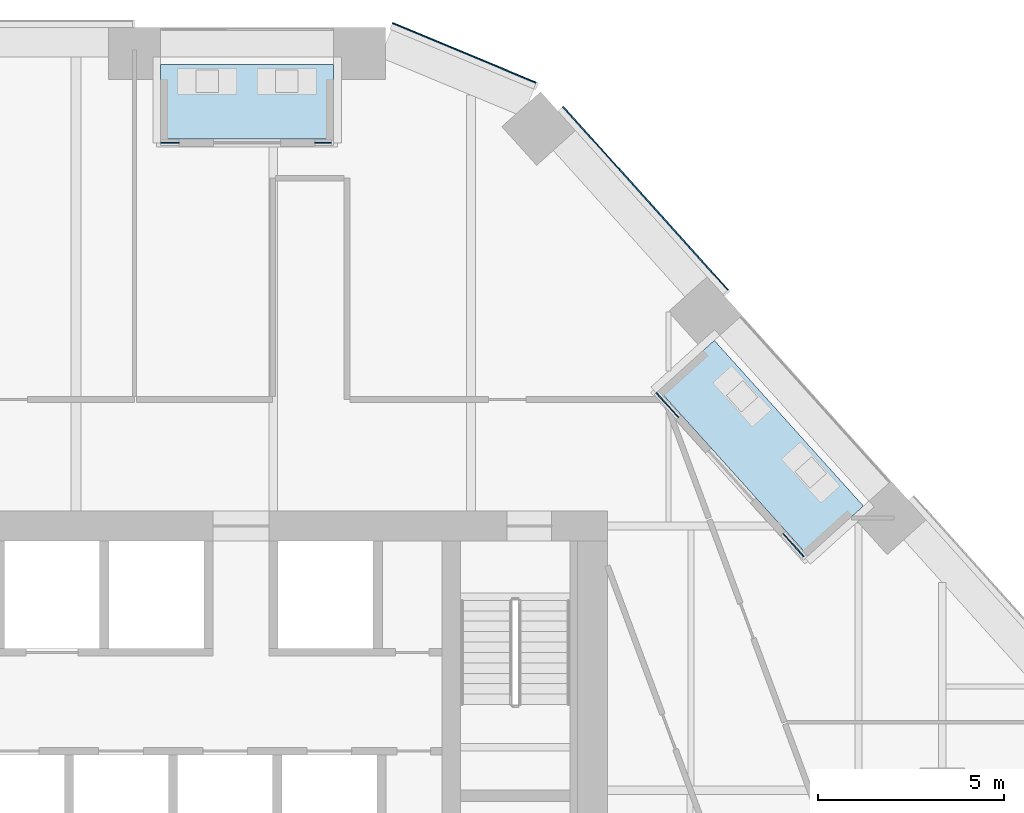
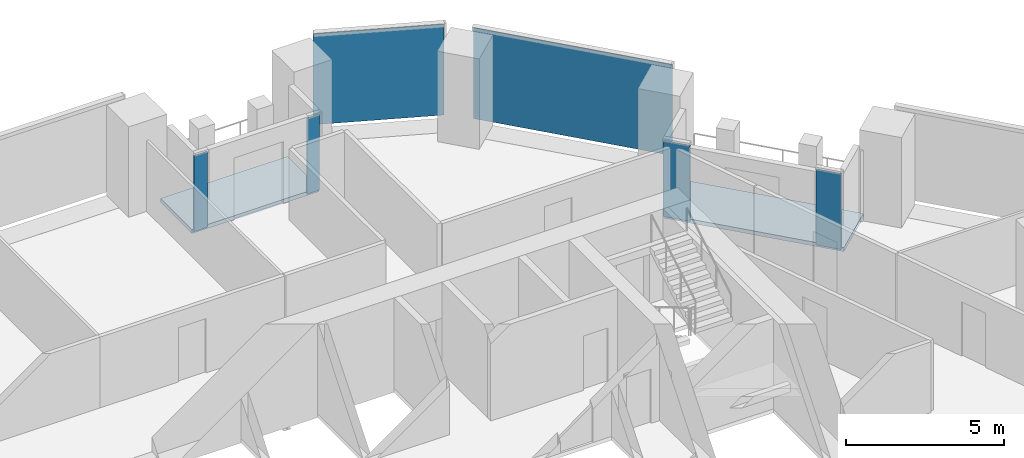
# One storey, part 16 of 24: 6 plates, 2 slabs, 4 elements without a shape of their own.
"""IFC4 building model written with IfcOpenShell, lengths in metres."""

import ifcopenshell
import ifcopenshell.guid

model = None  # the IFC model being written
_history = None  # IfcOwnerHistory: only IFC2X3 demands one
_inside = {}  # id of a spatial element -> (the spatial element, [elements in it])
_under = {}  # id of a project, library or spatial element -> (it, [spatial elements below it])
_declared = {}  # id of a project -> (the project, [libraries it declares])
_typed = {}  # id of a type object -> (the type object, [elements of that type])
_made_of = {}  # id of a material, layer set ... -> (it, [elements and type objects made of it])


def new_model(schema):
    """Start an empty IFC model of exactly this schema.

    Asked for "IFC4X3", IfcOpenShell would pick the latest addendum, in which some entities
    have other attributes; the version numbers below select the first issue.
    IFC2X3 requires an IfcOwnerHistory on every rooted entity: one is made here for all.
    """
    global model, _history
    if schema == "IFC4X3":
        model = ifcopenshell.file(schema_version=(4, 3, 0, 0))
    else:
        model = ifcopenshell.file(schema=schema)
    _inside.clear()
    _under.clear()
    _declared.clear()
    _typed.clear()
    _made_of.clear()
    _history = None
    if model.schema == "IFC2X3":
        org = make("IfcOrganization", Name="unknown")
        user = make(
            "IfcPersonAndOrganization",
            ThePerson=make("IfcPerson", FamilyName="unknown"),
            TheOrganization=org,
        )
        app = make(
            "IfcApplication",
            ApplicationDeveloper=org,
            Version="unknown",
            ApplicationFullName="unknown",
            ApplicationIdentifier="unknown",
        )
        _history = make(
            "IfcOwnerHistory",
            OwningUser=user,
            OwningApplication=app,
            ChangeAction="ADDED",
            CreationDate=0,
        )
    return model


def make(cls, **values):
    """One entity of the class cls with the attributes given. An attribute that is None is left unset."""
    return model.create_entity(
        cls, **{name: value for name, value in values.items() if value is not None}
    )


def rooted(cls, **values):
    """An entity with a GlobalId (a new one), such as an element, a storey or a relation."""
    return make(cls, GlobalId=ifcopenshell.guid.new(), OwnerHistory=_history, **values)


def si_unit(unit_type, name, prefix=None):
    """IfcSIUnit, for example si_unit("LENGTHUNIT", "METRE", prefix="MILLI")."""
    return make("IfcSIUnit", UnitType=unit_type, Prefix=prefix, Name=name)


def assignment(units):
    """IfcUnitAssignment: the units of a project."""
    return None if units is None else make("IfcUnitAssignment", Units=units)


def point(xyz):
    """IfcCartesianPoint."""
    return None if xyz is None else make("IfcCartesianPoint", Coordinates=xyz)


def direction(xyz):
    """IfcDirection."""
    return None if xyz is None else make("IfcDirection", DirectionRatios=xyz)


def frame(location, z_axis=None, x_axis=None):
    """IfcAxis2Placement3D, a coordinate frame: its origin and axes. An axis left out is left unset."""
    return make(
        "IfcAxis2Placement3D",
        Location=point(location),
        Axis=direction(z_axis),
        RefDirection=direction(x_axis),
    )


def frame_2d(location, x_axis=None):
    """IfcAxis2Placement2D, a coordinate frame in the plane: its origin and x axis."""
    return make(
        "IfcAxis2Placement2D", Location=point(location), RefDirection=direction(x_axis)
    )


def origin():
    """The frame at (0, 0, 0) with its axes left unset."""
    return frame((0.0, 0.0, 0.0))


def origin_2d():
    """The frame at (0, 0) in the plane with its x axis left unset."""
    return frame_2d((0.0, 0.0))


def place(relative_to, where):
    """IfcLocalPlacement: puts the frame where relative to a parent placement (None: the world)."""
    return make(
        "IfcLocalPlacement", PlacementRelTo=relative_to, RelativePlacement=where
    )


def context(
    kind, dimensions, precision=None, world=None, true_north=None, identifier=None
):
    """IfcGeometricRepresentationContext, for example the 3D "Model" context."""
    return make(
        "IfcGeometricRepresentationContext",
        ContextIdentifier=identifier,
        ContextType=kind,
        CoordinateSpaceDimension=dimensions,
        Precision=precision,
        WorldCoordinateSystem=world,
        TrueNorth=true_north,
    )


def subcontext(parent, identifier, kind, view, scale=None):
    """IfcGeometricRepresentationSubContext, for example "Body" below "Model"."""
    return make(
        "IfcGeometricRepresentationSubContext",
        ContextIdentifier=identifier,
        ContextType=kind,
        ParentContext=parent,
        TargetScale=scale,
        TargetView=view,
    )


def project(units=None, contexts=None):
    """IfcProject with its units and contexts."""
    return rooted(
        "IfcProject",
        Name="project",
        RepresentationContexts=contexts,
        UnitsInContext=assignment(units),
    )


def spatial(cls, under=None, at=None, **own):
    """A site, building, storey or space (cls), placed at a placement, below another one or the project."""
    s = rooted(cls, ObjectPlacement=at, **own)
    if under is not None:
        _under.setdefault(under.id(), (under, []))[1].append(s)
    return s


def polyline(points):
    """IfcPolyline through the points."""
    return make("IfcPolyline", Points=[point(p) for p in points])


def profile(cls, at=None, kind="AREA", **sizes):
    """A parametric profile (cls). Its sizes go by their IFC names, for example OverallWidth=200.0."""
    return make(cls, ProfileType=kind, Position=at, **sizes)


def rectangle(**sizes):
    """IfcRectangleProfileDef."""
    return profile("IfcRectangleProfileDef", **sizes)


def outline(outer, holes=None, kind="AREA"):
    """IfcArbitraryClosedProfileDef: a profile drawn as a closed curve; with holes, ...WithVoids."""
    if holes is None:
        return make("IfcArbitraryClosedProfileDef", ProfileType=kind, OuterCurve=outer)
    return make(
        "IfcArbitraryProfileDefWithVoids",
        ProfileType=kind,
        OuterCurve=outer,
        InnerCurves=holes,
    )


def extrude(swept, where, along, depth):
    """IfcExtrudedAreaSolid: the profile swept, set in the frame where, extruded along a direction by depth."""
    return make(
        "IfcExtrudedAreaSolid",
        SweptArea=swept,
        Position=where,
        ExtrudedDirection=direction(along),
        Depth=depth,
    )


def shape(context_of_items, identifier, shape_type, items):
    """IfcShapeRepresentation: the items that make up one representation, for example the "Body"."""
    return make(
        "IfcShapeRepresentation",
        ContextOfItems=context_of_items,
        RepresentationIdentifier=identifier,
        RepresentationType=shape_type,
        Items=items,
    )


def material(Name=None, Category=None):
    """IfcMaterial."""
    return make("IfcMaterial", Name=Name, Category=Category)


def layer(
    of_material, thickness, ventilated=None, Name=None, Category=None, Priority=None
):
    """IfcMaterialLayer: one layer of a wall or slab, of a material (None: an air gap)."""
    return make(
        "IfcMaterialLayer",
        Material=of_material,
        LayerThickness=thickness,
        IsVentilated=ventilated,
        Name=Name,
        Category=Category,
        Priority=Priority,
    )


def layer_set(layers, Name=None):
    """IfcMaterialLayerSet."""
    return make("IfcMaterialLayerSet", MaterialLayers=layers, LayerSetName=Name)


def made_of(thing, what):
    """Note that an element or type object is made of a material, layer set ...; save() writes the relation."""
    if what is not None:
        _made_of.setdefault(what.id(), (what, []))[1].append(thing)
    return thing


def type_object(cls, material=None, **own):
    """A type object (cls), such as IfcWallType, which elements share."""
    return made_of(rooted(cls, **own), material)


def element(
    cls,
    number,
    at=None,
    inside=None,
    cuts=None,
    type_object=None,
    material=None,
    context=None,
    identifier="Body",
    shape_type=None,
    held_by="IfcProductDefinitionShape",
    body=None,
    shapes=None,
    **own,
):
    """One element of the class cls, such as IfcWall. Its Tag is "e" and its number.

    at: its placement. inside: the storey or other place that contains it. cuts: it is an
    opening in that element (IfcRelVoidsElement). A single representation is given by context,
    identifier, shape_type and body (its items); several are given by shapes. held_by: the class
    of the entity that holds the representations. save() writes the other relations.
    """
    e = rooted(cls, Tag="e%d" % number, ObjectPlacement=at, **own)
    if body is not None:
        shapes = [shape(context, identifier, shape_type, body)]
    if shapes is not None:
        e.Representation = make(held_by, Representations=shapes)
    if inside is not None:
        _inside.setdefault(inside.id(), (inside, []))[1].append(e)
    if cuts is not None:
        rooted(
            "IfcRelVoidsElement", RelatingBuildingElement=cuts, RelatedOpeningElement=e
        )
    if type_object is not None:
        _typed.setdefault(type_object.id(), (type_object, []))[1].append(e)
    return made_of(e, material)


def aggregate(whole, parts):
    """IfcRelAggregates: a whole, such as a stair, and the parts it consists of."""
    return rooted("IfcRelAggregates", RelatingObject=whole, RelatedObjects=parts)


def save(model, path):
    """Write the relations noted so far, then the file.

    IfcRelAggregates (storeys below a building ...), IfcRelContainedInSpatialStructure (elements
    in a storey), IfcRelDefinesByType, IfcRelAssociatesMaterial and IfcRelDeclares: one each for
    every whole, place, type object, material and project.
    """
    for whole, parts in _under.values():
        aggregate(whole, parts)
    for where, things in _inside.values():
        rooted(
            "IfcRelContainedInSpatialStructure",
            RelatedElements=things,
            RelatingStructure=where,
        )
    for kind, things in _typed.values():
        rooted("IfcRelDefinesByType", RelatedObjects=things, RelatingType=kind)
    for what, things in _made_of.values():
        rooted("IfcRelAssociatesMaterial", RelatedObjects=things, RelatingMaterial=what)
    for by, libraries in _declared.values():
        rooted("IfcRelDeclares", RelatingContext=by, RelatedDefinitions=libraries)
    model.write(path)


model = new_model("IFC4")

# Units and contexts
model_context = context("Model", 3, precision=1e-05, world=origin(), true_north=direction((0.0, 1.0)))
body_context = subcontext(model_context, "Body", "Model", "MODEL_VIEW")
ifc_project = project(units=[si_unit("LENGTHUNIT", "METRE"), si_unit("AREAUNIT", "SQUARE_METRE"), si_unit("VOLUMEUNIT", "CUBIC_METRE"), si_unit("PLANEANGLEUNIT", "RADIAN"), si_unit("MASSUNIT", "GRAM", prefix="KILO")], contexts=[model_context])

# Site, building, storey
site_placement = place(None, origin())
site = spatial("IfcSite", under=ifc_project, at=site_placement, CompositionType="ELEMENT")
building_placement = place(site_placement, origin())
building = spatial("IfcBuilding", under=site, at=building_placement, Name="Isthmus Gate Tower", CompositionType="ELEMENT")
storey_placement = place(building_placement, frame((0.0, 0.0, 159.0)))
storey = spatial("IfcBuildingStorey", under=building, at=storey_placement, Name="L39", CompositionType="ELEMENT", Elevation=159.0)

# Curtain wall, plate
ifc_material_1 = material(Name="Aluminium, pale champagne anodised", Category="aluminium")
ifc_layer_1 = layer(ifc_material_1, 0.199951171875)
ifc_layer_set_1 = layer_set([ifc_layer_1], Name="CW-1 UNITISED CURTAIN WALL 200 DEEP")
curtain_wall_type_1 = type_object("IfcCurtainWallType", Name="CW-1 UNITISED CURTAIN WALL 200 DEEP", PredefinedType="NOTDEFINED", material=ifc_layer_set_1)
curtain_wall_1_placement = place(storey_placement, origin())
curtain_wall_1 = element("IfcCurtainWall", 1, at=curtain_wall_1_placement, inside=storey, type_object=curtain_wall_type_1, Name="CW-1 NE L39", PredefinedType="NOTDEFINED")
ifc_material_2 = material(Name="Laminated low-iron glass, pale blue tint", Category="glass")
ifc_layer_2 = layer(ifc_material_2, 0.035888671875)
ifc_layer_set_2 = layer_set([ifc_layer_2], Name="CW-1 CLEAR GLASS LITE 36")
plate_type_1 = type_object("IfcPlateType", Name="CW-1 CLEAR GLASS LITE 36", PredefinedType="CURTAIN_PANEL", material=ifc_layer_set_2)
plate_1_placement = place(storey_placement, frame((16.02392578125, 23.406494140625, 0.0), z_axis=(0.0, 0.0, 1.0), x_axis=(-0.669130606359, 0.743144825477, 0.0)))
plate_1 = element("IfcPlate", 2, at=plate_1_placement, type_object=plate_type_1, Name="CW-1 glass lite", PredefinedType="CURTAIN_PANEL", context=body_context, shape_type="SweptSolid", body=[
    extrude(rectangle(XDim=6.630859375, YDim=0.035888671875, at=origin_2d()), origin(), (0.0, 0.0, 1.0), 3.510009765625),
])
aggregate(curtain_wall_1, [plate_1])

curtain_wall_2_placement = place(storey_placement, origin())
curtain_wall_2 = element("IfcCurtainWall", 3, at=curtain_wall_2_placement, inside=storey, type_object=curtain_wall_type_1, Name="CW-1 NE-N L39", PredefinedType="NOTDEFINED")
plate_2_placement = place(storey_placement, frame((11.154052734375, 27.3173828125, 0.0), z_axis=(0.0, 0.0, 1.0), x_axis=(-0.923353128387, 0.383951820282, 0.0)))
plate_2 = element("IfcPlate", 4, at=plate_2_placement, type_object=plate_type_1, Name="CW-1 glass lite", PredefinedType="CURTAIN_PANEL", context=body_context, shape_type="SweptSolid", body=[
    extrude(rectangle(XDim=4.181396484375, YDim=0.035888671875, at=origin_2d()), origin(), (0.0, 0.0, 1.0), 3.510009765625),
])
aggregate(curtain_wall_2, [plate_2])

# Curtain wall, plates
ifc_material_3 = material(Name="Aluminium, pale champagne anodised", Category="aluminium")
ifc_layer_3 = layer(ifc_material_3, 0.14990234375)
ifc_layer_set_3 = layer_set([ifc_layer_3], Name="CW-6 LOGGIA BACK WALL GLAZING 150 DEEP")
curtain_wall_type_2 = type_object("IfcCurtainWallType", Name="CW-6 LOGGIA BACK WALL GLAZING 150 DEEP", PredefinedType="NOTDEFINED", material=ifc_layer_set_3)
curtain_wall_3_placement = place(storey_placement, origin())
curtain_wall_3 = element("IfcCurtainWall", 5, at=curtain_wall_3_placement, inside=storey, type_object=curtain_wall_type_2, Name="CW-6 N L39", PredefinedType="NOTDEFINED")
ifc_material_4 = material(Name="Laminated low-iron glass, clear", Category="glass")
ifc_layer_4 = layer(ifc_material_4, 0.031982421875)
ifc_layer_set_4 = layer_set([ifc_layer_4], Name="CW-6 CLEAR GLASS LITE 32")
plate_type_2 = type_object("IfcPlateType", Name="CW-6 CLEAR GLASS LITE 32", PredefinedType="CURTAIN_PANEL", material=ifc_layer_set_4)
plate_3_placement = place(storey_placement, frame((7.358642578125, 24.89990234375, 0.0), z_axis=(0.0, 0.0, 1.0), x_axis=(-1.0, 0.0, 0.0)))
plate_3 = element("IfcPlate", 6, at=plate_3_placement, type_object=plate_type_2, Name="CW-6 glass lite", PredefinedType="CURTAIN_PANEL", context=body_context, shape_type="SweptSolid", body=[
    extrude(rectangle(XDim=0.43994140625, YDim=0.031982421875, at=origin_2d()), origin(), (0.0, 0.0, 1.0), 2.929931640625),
])
plate_4_placement = place(storey_placement, frame((3.238525390625, 24.89990234375, 0.0), z_axis=(0.0, 0.0, 1.0), x_axis=(-1.0, 0.0, 0.0)))
plate_4 = element("IfcPlate", 7, at=plate_4_placement, type_object=plate_type_2, Name="CW-6 glass lite", PredefinedType="CURTAIN_PANEL", context=body_context, shape_type="SweptSolid", body=[
    extrude(rectangle(XDim=0.5, YDim=0.031982421875, at=origin_2d()), origin(), (0.0, 0.0, 1.0), 2.929931640625),
])
aggregate(curtain_wall_3, [plate_3, plate_4])

curtain_wall_4_placement = place(storey_placement, origin())
curtain_wall_4 = element("IfcCurtainWall", 8, at=curtain_wall_4_placement, inside=storey, type_object=curtain_wall_type_2, Name="CW-6 NE L39", PredefinedType="NOTDEFINED")
plate_5_placement = place(storey_placement, frame((20.000732421875, 14.0849609375, 0.0), z_axis=(0.0, 0.0, 1.0), x_axis=(-0.669130606359, 0.743144825477, 0.0)))
plate_5 = element("IfcPlate", 9, at=plate_5_placement, type_object=plate_type_2, Name="CW-6 glass lite", PredefinedType="CURTAIN_PANEL", context=body_context, shape_type="SweptSolid", body=[
    extrude(rectangle(XDim=0.83544921875, YDim=0.031982421875, at=origin_2d()), origin(), (0.0, 0.0, 1.0), 2.929931640625),
])
plate_6_placement = place(storey_placement, frame((16.611328125, 17.84912109375, 0.0), z_axis=(0.0, 0.0, 1.0), x_axis=(-0.669130606359, 0.743144825477, 0.0)))
plate_6 = element("IfcPlate", 10, at=plate_6_placement, type_object=plate_type_2, Name="CW-6 glass lite", PredefinedType="CURTAIN_PANEL", context=body_context, shape_type="SweptSolid", body=[
    extrude(rectangle(XDim=0.8955078125, YDim=0.031982421875, at=origin_2d()), origin(), (0.0, 0.0, 1.0), 2.929931640625),
])
aggregate(curtain_wall_4, [plate_5, plate_6])

# Slabs
ifc_material_5 = material(Name="Concrete f'c 50 MPa", Category="concrete")
ifc_layer_5 = layer(ifc_material_5, 0.14990234375)
ifc_layer_set_5 = layer_set([ifc_layer_5], Name="LOGGIA FLOOR SLAB 150")
slab_type = type_object("IfcSlabType", Name="LOGGIA FLOOR SLAB 150", PredefinedType="FLOOR", material=ifc_layer_set_5)
slab_1_placement = place(storey_placement, frame((0.0, 0.0, -0.14990234375)))
element("IfcSlab", 11, at=slab_1_placement, inside=storey, type_object=slab_type, Name="LOGGIA FLOOR", PredefinedType="FLOOR", context=body_context, shape_type="SweptSolid", body=[
    extrude(outline(polyline([(7.638671875, 27.0), (2.988525390625, 27.0), (2.988525390625, 25.0), (7.638671875, 25.0), (7.638671875, 27.0)])), origin(), (0.0, 0.0, 1.0), 0.14990234375),
])
slab_2_placement = place(storey_placement, frame((0.0, 0.0, -0.14990234375)))
element("IfcSlab", 12, at=slab_2_placement, inside=storey, type_object=slab_type, Name="LOGGIA FLOOR", PredefinedType="FLOOR", context=body_context, shape_type="SweptSolid", body=[
    extrude(outline(polyline([(21.881103515625, 15.135009765625), (17.87255859375, 19.587158203125), (16.38623046875, 18.248779296875), (20.394775390625, 13.796875), (21.881103515625, 15.135009765625)])), origin(), (0.0, 0.0, 1.0), 0.14990234375),
])

save(model, "model.ifc")
